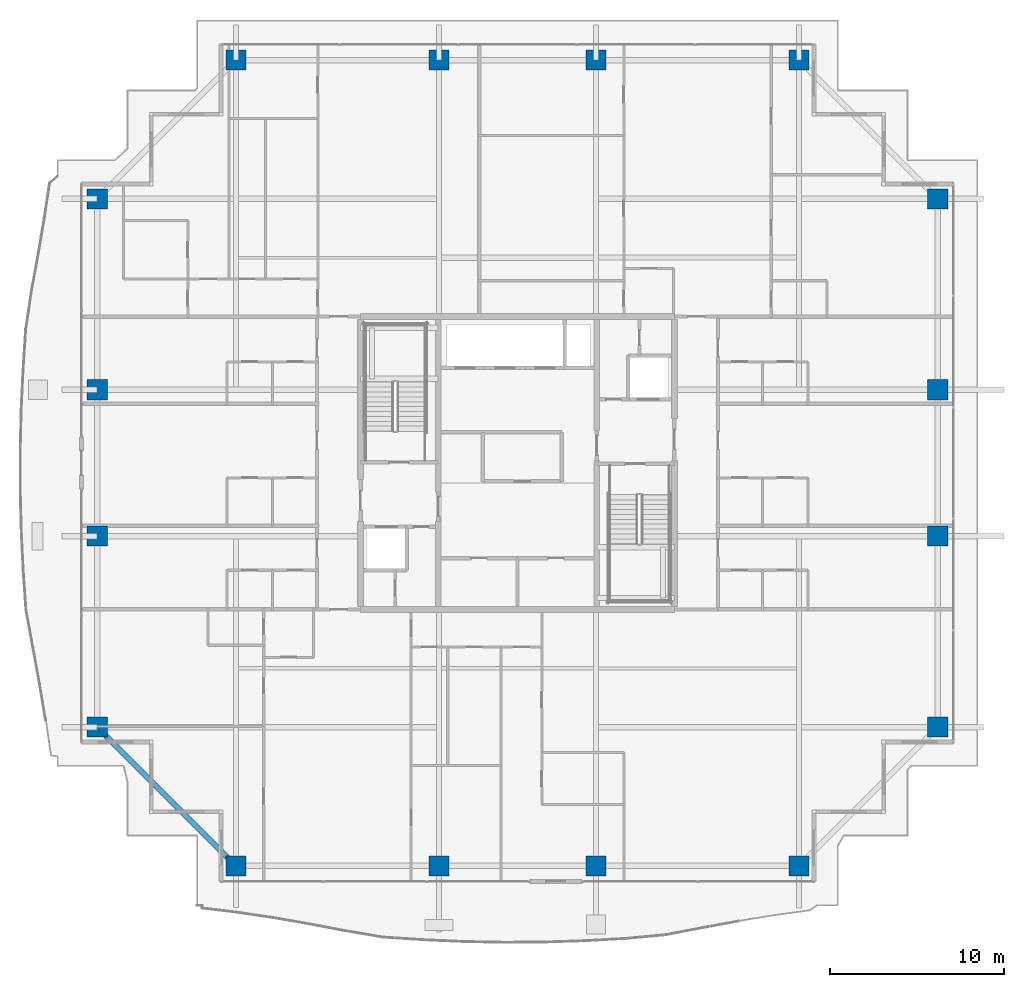
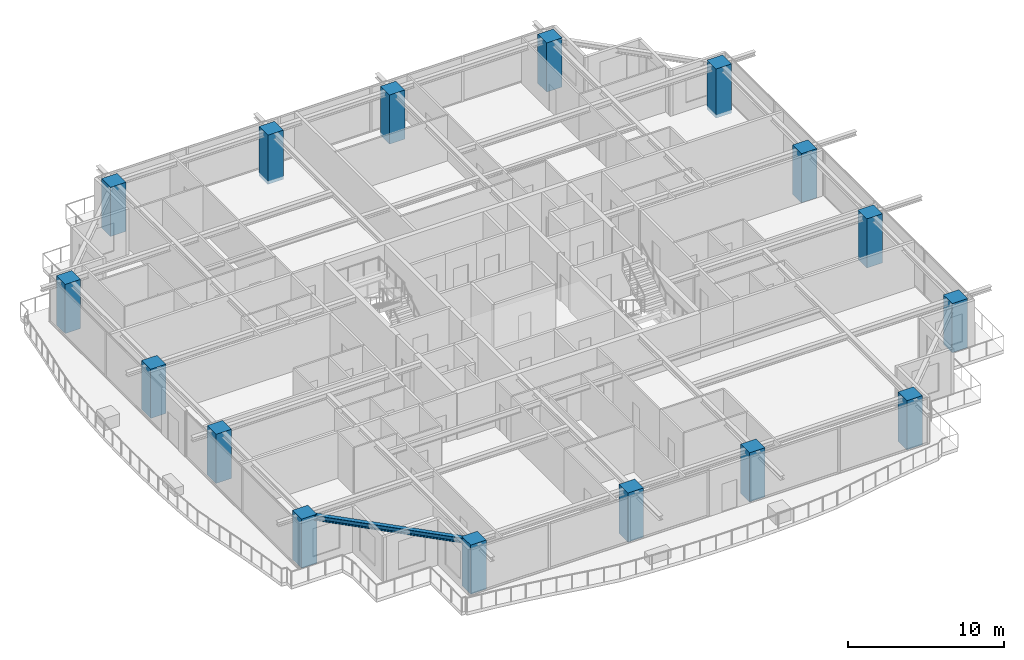
# One storey, part 1 of 36: 16 columns, 1 beam.
"""IFC4 building model written with IfcOpenShell, lengths in metres."""

from ifc_helpers import new_model, si_unit, direction, frame, origin, origin_2d, place, context, subcontext, project, spatial, rectangle, i_section, extrude, source, transform, mapped, material, material_profile, profile_set, type_object, element, save


model = new_model("IFC4")

# Units and contexts
model_context = context("Model", 3, precision=1e-05, world=origin(), true_north=direction((0.0, 1.0)))
body_context = subcontext(model_context, "Body", "Model", "MODEL_VIEW")
ifc_project = project(units=[si_unit("LENGTHUNIT", "METRE"), si_unit("AREAUNIT", "SQUARE_METRE"), si_unit("VOLUMEUNIT", "CUBIC_METRE"), si_unit("PLANEANGLEUNIT", "RADIAN"), si_unit("MASSUNIT", "GRAM", prefix="KILO")], contexts=[model_context])

# Site, building, storey
site_placement = place(None, origin())
site = spatial("IfcSite", under=ifc_project, at=site_placement, CompositionType="ELEMENT")
building_placement = place(site_placement, origin())
building = spatial("IfcBuilding", under=site, at=building_placement, Name="Serunith Strait Residences", CompositionType="ELEMENT")
storey_placement = place(building_placement, frame((0.0, 0.0, 256.64990234375)))
storey = spatial("IfcBuildingStorey", under=building, at=storey_placement, Name="L64", CompositionType="ELEMENT", Elevation=256.64990234375)

# Columns
ifc_material_1 = material(Name="Concrete C80/95", Category="concrete")
ifc_material_profile_1 = material_profile(ifc_material_1, rectangle(XDim=1.14990234375, YDim=1.14990234375, at=origin_2d()), Name="RC 1150x1150")
ifc_profile_set_1 = profile_set([ifc_material_profile_1], Name="Concrete C80/95")
column_type = type_object("IfcColumnType", Name="COL-RC-1150", PredefinedType="COLUMN", material=ifc_profile_set_1)
shared_shape_1 = source(origin(), body_context, "Body", "SweptSolid", [
    extrude(rectangle(XDim=1.14990234375, YDim=1.14990234375, at=origin_2d()), origin(), (0.0, 0.0, 1.0), 3.85009765625),
])
for number, where, z_axis, x_axis, name in (
    (1, (16.25, 2.10009765625, -0.260009765625), (0.0, 0.0, 1.0), (1.0, 0.0, 0.0), "L64 Tower Mega-Column TC-S1"),
    (2, (27.89990234375, 2.10009765625, -0.260009765625), (0.0, 0.0, 1.0), (1.0, 0.0, 0.0), "L64 Tower Mega-Column TC-S2"),
    (3, (36.89990234375, 2.10009765625, -0.260009765625), (0.0, 0.0, 1.0), (1.0, 0.0, 0.0), "L64 Tower Mega-Column TC-S3"),
    (4, (48.550048828125, 2.10009765625, -0.260009765625), (0.0, 0.0, 1.0), (1.0, 0.0, 0.0), "L64 Tower Mega-Column TC-S4"),
    (5, (16.25, 48.300048828125, -0.260009765625), (0.0, 0.0, 1.0), (1.0, 0.0, 0.0), "L64 Tower Mega-Column TC-N1"),
    (6, (27.89990234375, 48.300048828125, -0.260009765625), (0.0, 0.0, 1.0), (1.0, 0.0, 0.0), "L64 Tower Mega-Column TC-N2"),
    (7, (36.89990234375, 48.300048828125, -0.260009765625), (0.0, 0.0, 1.0), (1.0, 0.0, 0.0), "L64 Tower Mega-Column TC-N3"),
    (8, (48.550048828125, 48.300048828125, -0.260009765625), (0.0, 0.0, 1.0), (1.0, 0.0, 0.0), "L64 Tower Mega-Column TC-N4"),
    (9, (56.5, 10.050048828125, -0.260009765625), (0.0, 0.0, 1.0), (1.0, 0.0, 0.0), "L64 Tower Mega-Column TC-E1"),
    (10, (56.5, 21.0, -0.260009765625), (0.0, 0.0, 1.0), (1.0, 0.0, 0.0), "L64 Tower Mega-Column TC-E2"),
    (11, (56.5, 29.39990234375, -0.260009765625), (0.0, 0.0, 1.0), (1.0, 0.0, 0.0), "L64 Tower Mega-Column TC-E3"),
    (12, (56.5, 40.35009765625, -0.260009765625), (0.0, 0.0, 1.0), (1.0, 0.0, 0.0), "L64 Tower Mega-Column TC-E4"),
    (13, (8.300048828125, 10.050048828125, -0.260009765625), (0.0, 0.0, 1.0), (1.0, 0.0, 0.0), "L64 Tower Mega-Column TC-W1"),
    (14, (8.300048828125, 21.0, -0.260009765625), (0.0, 0.0, 1.0), (1.0, 0.0, 0.0), "L64 Tower Mega-Column TC-W2"),
    (15, (8.300048828125, 29.39990234375, -0.260009765625), (0.0, 0.0, 1.0), (1.0, 0.0, 0.0), "L64 Tower Mega-Column TC-W3"),
    (16, (8.300048828125, 40.35009765625, -0.260009765625), (0.0, 0.0, 1.0), (1.0, 0.0, 0.0), "L64 Tower Mega-Column TC-W4"),
):
    element("IfcColumn", number, at=place(storey_placement, frame(where, z_axis=z_axis, x_axis=x_axis)), inside=storey, type_object=column_type, Name=name, PredefinedType="COLUMN", context=body_context, shape_type="MappedRepresentation", body=[
        mapped(shared_shape_1, transform((0.0, 0.0, 0.0), scale=1.0)),
    ])

# Beam
ifc_material_2 = material(Name="Steel S355J2", Category="steel")
ifc_material_profile_2 = material_profile(ifc_material_2, i_section(OverallWidth=0.300048828125, OverallDepth=0.39990234375, WebThickness=0.013427734375, FlangeThickness=0.02392578125, FilletRadius=0.027099609375, at=origin_2d()), Name="HEB 400")
ifc_profile_set_2 = profile_set([ifc_material_profile_2], Name="Steel S355J2")
beam_type = type_object("IfcBeamType", Name="BM-HEB400", PredefinedType="BEAM", material=ifc_profile_set_2)
shared_shape_2 = source(origin(), body_context, "Body", "SweptSolid", [
    extrude(i_section(OverallWidth=0.300048828125, OverallDepth=0.39990234375, WebThickness=0.013427734375, FlangeThickness=0.02392578125, FilletRadius=0.027099609375, at=origin_2d()), origin(), (0.0, 0.0, 1.0), 11.242919921875),
])
beam_placement = place(storey_placement, frame((8.300048828125, 10.050048828125, 3.357177734375), z_axis=(0.707106781187, -0.707106781187, 0.0), x_axis=(0.707106781187, 0.707106781187, 0.0)))
element("IfcBeam", 17, at=beam_placement, inside=storey, type_object=beam_type, Name="L64 Perimeter Ring Beam 16", PredefinedType="BEAM", context=body_context, shape_type="MappedRepresentation", body=[
    mapped(shared_shape_2, transform((0.0, 0.0, 0.0), scale=1.0)),
])

save(model, "model.ifc")
